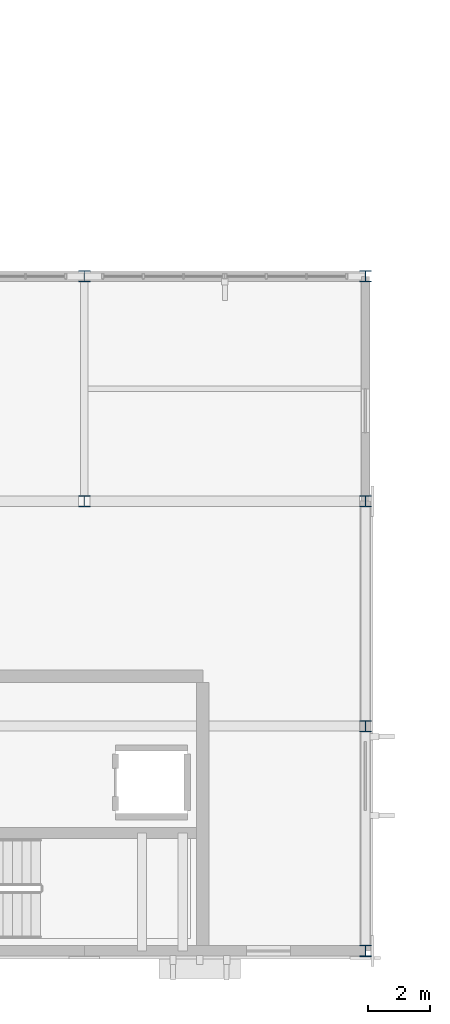
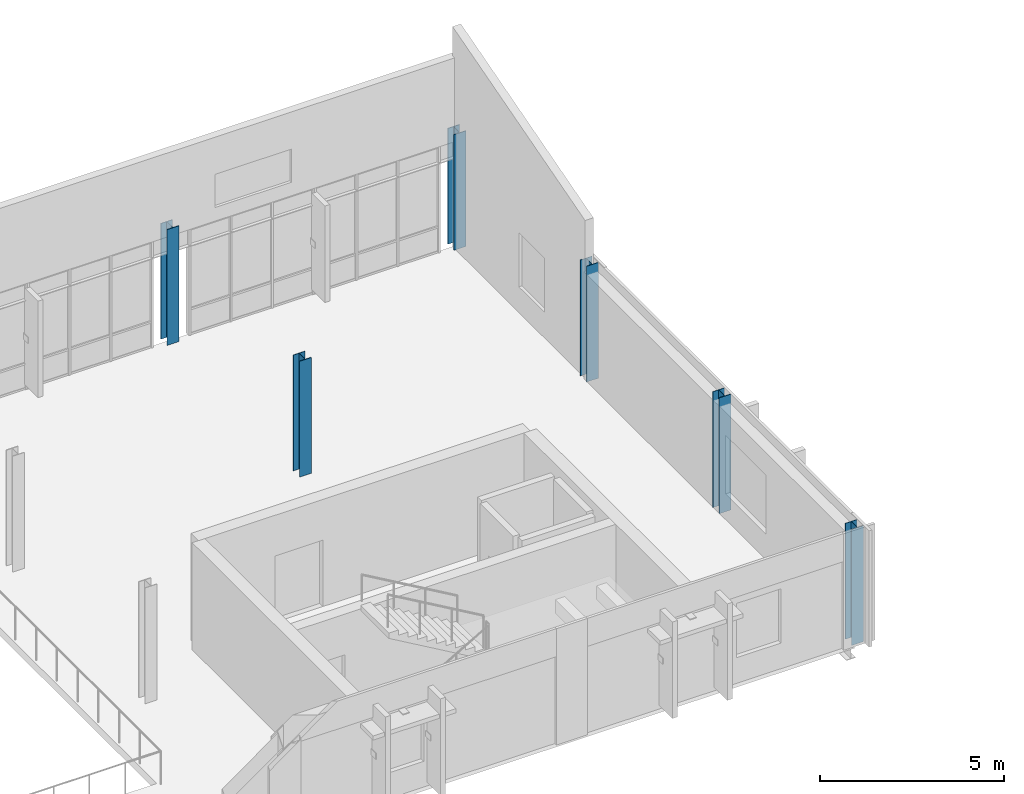
# One storey, part 6 of 85: 6 columns.
"""IFC4 building model written with IfcOpenShell, lengths in metres."""

from ifc_helpers import new_model, si_unit, direction, frame, origin, origin_2d, place, context, subcontext, project, spatial, i_section, extrude, material, material_profile, profile_set, type_object, element, save


model = new_model("IFC4")

# Units and contexts
model_context = context("Model", 3, precision=1e-05, world=origin(), true_north=direction((0.0, 1.0)))
body_context = subcontext(model_context, "Body", "Model", "MODEL_VIEW")
ifc_project = project(units=[si_unit("LENGTHUNIT", "METRE"), si_unit("AREAUNIT", "SQUARE_METRE"), si_unit("VOLUMEUNIT", "CUBIC_METRE"), si_unit("PLANEANGLEUNIT", "RADIAN"), si_unit("MASSUNIT", "GRAM", prefix="KILO")], contexts=[model_context])

# Site, building, storey
site_placement = place(None, origin())
site = spatial("IfcSite", under=ifc_project, at=site_placement, CompositionType="ELEMENT")
building_placement = place(site_placement, origin())
building = spatial("IfcBuilding", under=site, at=building_placement, Name="Vervanel Yard Central Library", CompositionType="ELEMENT")
storey_placement = place(building_placement, frame((0.0, 0.0, 5.10009765625)))
storey = spatial("IfcBuildingStorey", under=building, at=storey_placement, Name="L01", CompositionType="ELEMENT", Elevation=5.10009765625)

# Columns
ifc_material = material(Name="Steel ASTM A992 Grade 50", Category="steel")
ifc_material_profile = material_profile(ifc_material, i_section(OverallWidth=0.368408203125, OverallDepth=0.355712890625, WebThickness=0.01123046875, FlangeThickness=0.01806640625, at=origin_2d()), Name="W14X90", Category="steel")
ifc_profile_set = profile_set([ifc_material_profile], Name="Steel ASTM A992 Grade 50")
column_type = type_object("IfcColumnType", Name="Steel Column W14X90", PredefinedType="COLUMN", material=ifc_profile_set)
for number, where, z_axis, x_axis, name in (
    (1, (99.0, 14.39990234375, 0.0), (0.0, 0.0, 1.0), (1.0, 0.0, 0.0), "L01 Steel Column W14X90 (99.0, 14.4)"),
    (2, (99.0, 21.60009765625, 0.0), (0.0, 0.0, 1.0), (1.0, 0.0, 0.0), "L01 Steel Column W14X90 (99.0, 21.6)"),
    (3, (108.0, 0.0, 0.0), (0.0, 0.0, 1.0), (1.0, 0.0, 0.0), "L01 Steel Column W14X90 (108.0, 0.0)"),
    (4, (108.0, 7.199951171875, 0.0), (0.0, 0.0, 1.0), (1.0, 0.0, 0.0), "L01 Steel Column W14X90 (108.0, 7.2)"),
    (5, (108.0, 14.39990234375, 0.0), (0.0, 0.0, 1.0), (1.0, 0.0, 0.0), "L01 Steel Column W14X90 (108.0, 14.4)"),
    (6, (108.0, 21.60009765625, 0.0), (0.0, 0.0, 1.0), (1.0, 0.0, 0.0), "L01 Steel Column W14X90 (108.0, 21.6)"),
):
    element("IfcColumn", number, at=place(storey_placement, frame(where, z_axis=z_axis, x_axis=x_axis)), inside=storey, type_object=column_type, Name=name, PredefinedType="COLUMN", context=body_context, shape_type="SweptSolid", body=[
        extrude(i_section(OverallWidth=0.368408203125, OverallDepth=0.355712890625, WebThickness=0.01123046875, FlangeThickness=0.01806640625, at=origin_2d()), origin(), (0.0, 0.0, 1.0), 3.83984375),
    ])

save(model, "model.ifc")
